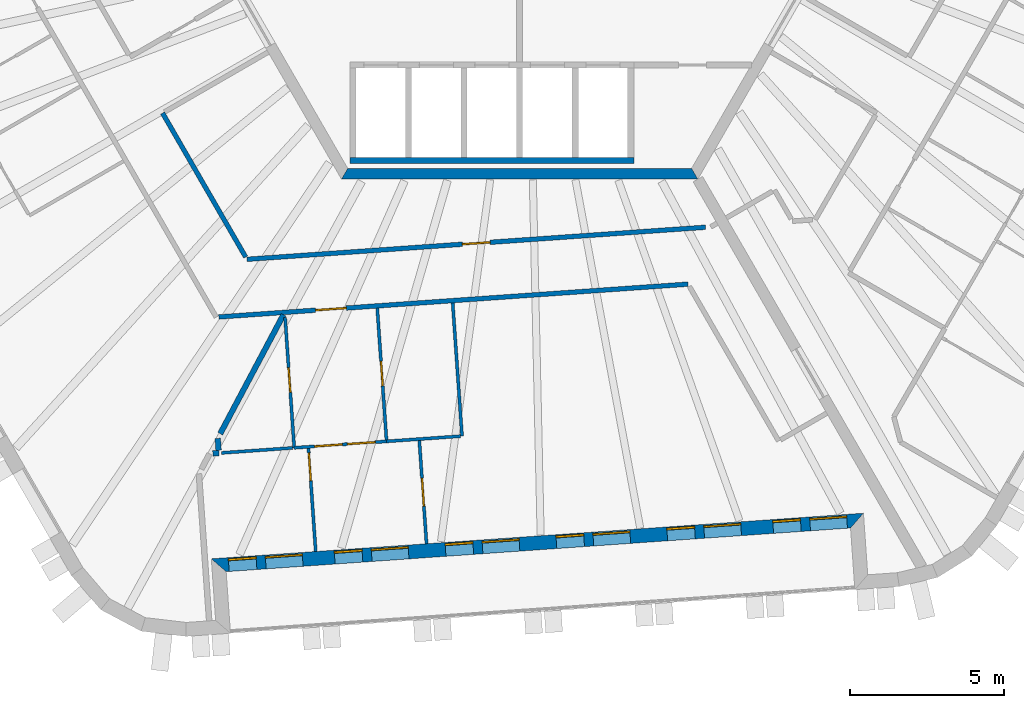
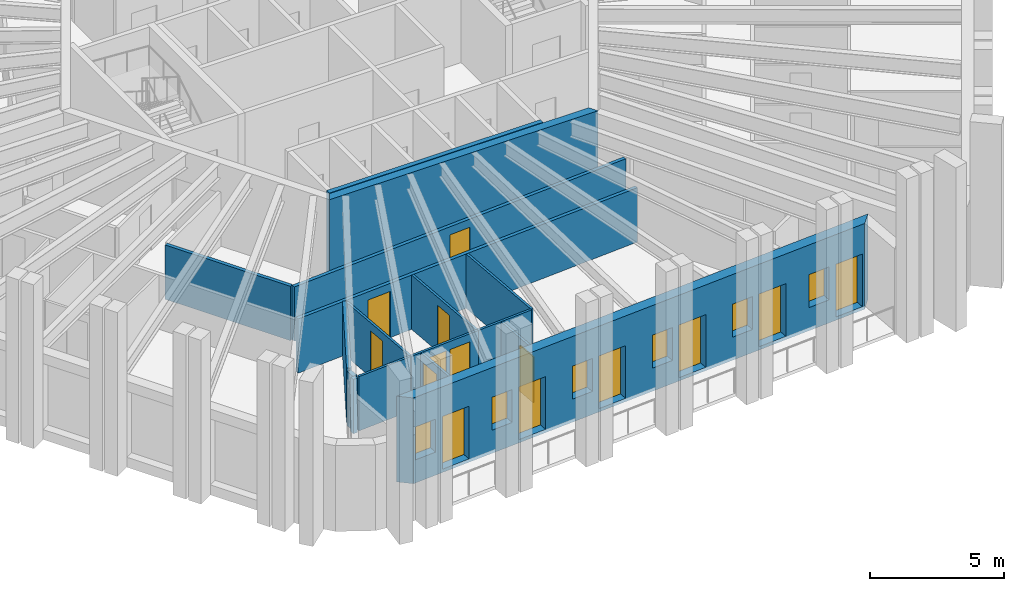
# One storey, part 3 of 12: 17 walls, 14 doors, 6 windows, 20 openings.
"""IFC4 building model written with IfcOpenShell, lengths in metres."""

from ifc_helpers import new_model, si_unit, direction, frame, frame_2d, origin, place, context, subcontext, project, spatial, polyline, rectangle, outline, extrude, material, layer, layer_set, type_object, element, fill, save


model = new_model("IFC4")

# Units and contexts
model_context = context("Model", 3, precision=1e-05, world=origin(), true_north=direction((0.0, 1.0)))
body_context = subcontext(model_context, "Body", "Model", "MODEL_VIEW")
ifc_project = project(units=[si_unit("LENGTHUNIT", "METRE"), si_unit("AREAUNIT", "SQUARE_METRE"), si_unit("VOLUMEUNIT", "CUBIC_METRE"), si_unit("PLANEANGLEUNIT", "RADIAN"), si_unit("MASSUNIT", "GRAM", prefix="KILO")], contexts=[model_context])

# Site, building, storey
site_placement = place(None, origin())
site = spatial("IfcSite", under=ifc_project, at=site_placement, CompositionType="ELEMENT")
building_placement = place(site_placement, origin())
building = spatial("IfcBuilding", under=site, at=building_placement, Name="Tarnside Tower", CompositionType="ELEMENT")
storey_placement = place(building_placement, frame((0.0, 0.0, 369.0)))
storey = spatial("IfcBuildingStorey", under=building, at=storey_placement, Name="L89", CompositionType="ELEMENT", Elevation=369.0)

# Walls
ifc_material_1 = material(Name="Gypsum board partition on steel studs", Category="steel")
ifc_layer_1 = layer(ifc_material_1, 0.10009765625)
ifc_layer_set_1 = layer_set([ifc_layer_1], Name="Bathroom wall 100")
wall_type_1 = type_object("IfcWallType", Name="Bathroom wall 100", PredefinedType="PARTITIONING", material=ifc_layer_set_1)
wall_1_placement = place(storey_placement, frame((-2.169921875, -14.010498046875, 0.0), z_axis=(0.0, 0.0, 1.0), x_axis=(0.069770707097, -0.997563054865, 0.0)))
element("IfcWall", 1, at=wall_1_placement, inside=storey, type_object=wall_type_1, Name="Bathroom wall 29121", PredefinedType="PARTITIONING", context=body_context, shape_type="SweptSolid", body=[
    extrude(rectangle(XDim=4.324951171875, YDim=0.10009765625, at=frame_2d((2.16259765625, 0.0))), origin(), (0.0, 0.0, 1.0), 2.469970703125),
])
wall_2_placement = place(storey_placement, frame((-1.918212890625, -18.328369140625, 0.0), z_axis=(0.0, 0.0, 1.0), x_axis=(-0.997561942506, -0.06978660948, 0.0)))
element("IfcWall", 2, at=wall_2_placement, inside=storey, type_object=wall_type_1, Name="Bathroom wall 29122", PredefinedType="PARTITIONING", context=body_context, shape_type="SweptSolid", body=[
    extrude(rectangle(XDim=2.39990234375, YDim=0.10009765625, at=frame_2d((1.199951171875, 0.0))), origin(), (0.0, 0.0, 1.0), 2.469970703125),
])

# Wall, opening, door
wall_3_placement = place(storey_placement, frame((-4.315673828125, -18.446044921875, 0.0), z_axis=(0.0, 0.0, 1.0), x_axis=(-0.069785937212, 0.997561989536, 0.0)))
wall_3 = element("IfcWall", 3, at=wall_3_placement, inside=storey, type_object=wall_type_1, Name="Bathroom wall 29124", PredefinedType="PARTITIONING", context=body_context, shape_type="SweptSolid", body=[
    extrude(rectangle(XDim=4.275146484375, YDim=0.10009765625, at=frame_2d((2.1376953125, 0.0))), origin(), (0.0, 0.0, 1.0), 2.469970703125),
])
opening_1_placement = place(wall_3_placement, frame((1.75, 0.0, 0.0)))
opening_1 = element("IfcOpeningElement", 4, at=opening_1_placement, cuts=wall_3, Name="Opening D-B1", PredefinedType="OPENING", context=body_context, shape_type="SweptSolid", body=[
    extrude(rectangle(XDim=0.800048828125, YDim=2.10009765625, at=frame_2d((0.39990234375, 1.050048828125))), frame((0.0, 0.06005859375, 0.0), z_axis=(0.0, -1.0, 0.0), x_axis=(1.0, 0.0, 0.0)), (0.0, 0.0, 1.0), 0.1201171875),
])
ifc_material_2 = material(Name="Timber door leaf", Category="wood")
door_type_1 = type_object("IfcDoorType", Name="Bathroom door 800", OperationType="NOTDEFINED", PredefinedType="DOOR", material=ifc_material_2)
door_1_placement = place(opening_1_placement, origin())
door_1 = element("IfcDoor", 5, at=door_1_placement, inside=storey, type_object=door_type_1, Name="Bathroom door 29032", OperationType="SINGLE_SWING_LEFT", OverallHeight=2.10009765625, OverallWidth=0.800048828125, PredefinedType="DOOR", context=body_context, shape_type="SweptSolid", body=[
    extrude(rectangle(XDim=0.800048828125, YDim=2.10009765625, at=frame_2d((0.39990234375, 1.050048828125))), frame((0.0, 0.02490234375, 0.0), z_axis=(0.0, -1.0, 0.0), x_axis=(1.0, 0.0, 0.0)), (0.0, 0.0, 1.0), 0.050048828125),
])
fill(opening_1, door_1)

wall_4_placement = place(storey_placement, frame((-7.60009765625, -14.4853515625, 0.0), z_axis=(0.0, 0.0, 1.0), x_axis=(0.069778585231, -0.997562503828, 0.0)))
wall_4 = element("IfcWall", 6, at=wall_4_placement, inside=storey, type_object=wall_type_1, Name="Bathroom wall 29127", PredefinedType="PARTITIONING", context=body_context, shape_type="SweptSolid", body=[
    extrude(rectangle(XDim=4.22998046875, YDim=0.10009765625, at=frame_2d((2.114990234375, 0.0))), origin(), (0.0, 0.0, 1.0), 2.469970703125),
])
opening_2_placement = place(wall_4_placement, frame((1.630126953125, 0.0, 0.0)))
opening_2 = element("IfcOpeningElement", 7, at=opening_2_placement, cuts=wall_4, Name="Opening D-B1", PredefinedType="OPENING", context=body_context, shape_type="SweptSolid", body=[
    extrude(rectangle(XDim=0.800048828125, YDim=2.10009765625, at=frame_2d((0.39990234375, 1.050048828125))), frame((0.0, 0.06005859375, 0.0), z_axis=(0.0, -1.0, 0.0), x_axis=(1.0, 0.0, 0.0)), (0.0, 0.0, 1.0), 0.1201171875),
])
door_2_placement = place(opening_2_placement, origin())
door_2 = element("IfcDoor", 8, at=door_2_placement, inside=storey, type_object=door_type_1, Name="Bathroom door 29040", OperationType="SINGLE_SWING_RIGHT", OverallHeight=2.10009765625, OverallWidth=0.800048828125, PredefinedType="DOOR", context=body_context, shape_type="SweptSolid", body=[
    extrude(rectangle(XDim=0.800048828125, YDim=2.10009765625, at=frame_2d((0.39990234375, 1.050048828125))), frame((0.0, 0.02490234375, 0.0), z_axis=(0.0, -1.0, 0.0), x_axis=(1.0, 0.0, 0.0)), (0.0, 0.0, 1.0), 0.050048828125),
])
fill(opening_2, door_2)

# Walls
wall_5_placement = place(storey_placement, frame((-7.354736328125, -18.70849609375, 0.0), z_axis=(0.0, 0.0, 1.0), x_axis=(-0.997556979038, -0.069857523376, 0.0)))
element("IfcWall", 9, at=wall_5_placement, inside=storey, type_object=wall_type_1, Name="Bathroom wall 29130", PredefinedType="PARTITIONING", context=body_context, shape_type="SweptSolid", body=[
    extrude(rectangle(XDim=2.31005859375, YDim=0.10009765625, at=frame_2d((1.155029296875, 0.0))), origin(), (0.0, 0.0, 1.0), 2.469970703125),
])
ifc_material_3 = material(Name="Concrete C50/60", Category="concrete")
ifc_layer_2 = layer(ifc_material_3, 0.35009765625)
ifc_layer_set_2 = layer_set([ifc_layer_2], Name="Core wall Z4 350 C50/60")
wall_type_2 = type_object("IfcWallType", Name="Core wall Z4 350 C50/60", PredefinedType="SHEAR", material=ifc_layer_set_2)
wall_6_placement = place(storey_placement, frame((-5.672607421875, -9.824951171875, -0.14990234375), z_axis=(0.0, 0.0, 1.0), x_axis=(1.0, 0.0, 0.0)))
element("IfcWall", 10, at=wall_6_placement, inside=storey, type_object=wall_type_2, Name="L89 core wall face 4", PredefinedType="SHEAR", context=body_context, shape_type="SweptSolid", body=[
    extrude(outline(polyline([(-0.10107421875, -0.175048828125), (11.4462890625, -0.175048828125), (11.244140625, 0.175048828125), (0.10107421875, 0.175048828125), (-0.10107421875, -0.175048828125)])), origin(), (0.0, 0.0, 1.0), 3.89990234375),
])

# Wall, opening, door
ifc_layer_3 = layer(ifc_material_1, 0.14990234375)
ifc_layer_set_3 = layer_set([ifc_layer_3], Name="Corridor wall 150 EI 60")
wall_type_3 = type_object("IfcWallType", Name="Corridor wall 150 EI 60", PredefinedType="PARTITIONING", material=ifc_layer_set_3)
wall_7_placement = place(storey_placement, frame((-9.74853515625, -14.46533203125, 0.0), z_axis=(0.0, 0.0, 1.0), x_axis=(0.997564252773, 0.069753577612, 0.0)))
wall_7 = element("IfcWall", 11, at=wall_7_placement, inside=storey, type_object=wall_type_3, Name="Corridor wall 29028", PredefinedType="PARTITIONING", context=body_context, shape_type="SweptSolid", body=[
    extrude(rectangle(XDim=15.24267578125, YDim=0.14990234375, at=frame_2d((7.621337890625, 0.0))), origin(), (0.0, 0.0, 1.0), 2.469970703125),
])
opening_3_placement = place(wall_7_placement, frame((3.141845703125, 0.0, 0.0)))
opening_3 = element("IfcOpeningElement", 12, at=opening_3_placement, cuts=wall_7, Name="Opening D-E1", PredefinedType="OPENING", context=body_context, shape_type="SweptSolid", body=[
    extrude(rectangle(XDim=1.0, YDim=2.10009765625, at=frame_2d((0.5, 1.050048828125))), frame((0.0, 0.0849609375, 0.0), z_axis=(0.0, -1.0, 0.0), x_axis=(1.0, 0.0, 0.0)), (0.0, 0.0, 1.0), 0.169921875),
])
door_type_2 = type_object("IfcDoorType", Name="Unit entrance door 1000 FD30S", OperationType="NOTDEFINED", PredefinedType="DOOR", material=ifc_material_2)
door_3_placement = place(opening_3_placement, origin())
door_3 = element("IfcDoor", 13, at=door_3_placement, inside=storey, type_object=door_type_2, Name="Unit door 29031", OperationType="SINGLE_SWING_RIGHT", OverallHeight=2.10009765625, OverallWidth=1.0, PredefinedType="DOOR", context=body_context, shape_type="SweptSolid", body=[
    extrude(rectangle(XDim=1.0, YDim=2.10009765625, at=frame_2d((0.5, 1.050048828125))), frame((0.0, 0.02490234375, 0.0), z_axis=(0.0, -1.0, 0.0), x_axis=(1.0, 0.0, 0.0)), (0.0, 0.0, 1.0), 0.050048828125),
])
fill(opening_3, door_3)

wall_8_placement = place(storey_placement, frame((6.02197265625, -11.55810546875, 0.0), z_axis=(0.0, 0.0, 1.0), x_axis=(-0.997564502115, -0.06975001161, 0.0)))
wall_8 = element("IfcWall", 14, at=wall_8_placement, inside=storey, type_object=wall_type_3, Name="Corridor wall 29048", PredefinedType="PARTITIONING", context=body_context, shape_type="SweptSolid", body=[
    extrude(rectangle(XDim=14.8935546875, YDim=0.14990234375, at=frame_2d((7.44677734375, 0.0))), origin(), (0.0, 0.0, 1.0), 2.469970703125),
])
opening_4_placement = place(wall_8_placement, frame((6.996826171875, 0.0, 0.0)))
opening_4 = element("IfcOpeningElement", 15, at=opening_4_placement, cuts=wall_8, Name="Opening D-S1", PredefinedType="OPENING", context=body_context, shape_type="SweptSolid", body=[
    extrude(rectangle(XDim=0.89990234375, YDim=2.10009765625, at=frame_2d((0.449951171875, 1.050048828125))), frame((0.0, 0.0849609375, 0.0), z_axis=(0.0, -1.0, 0.0), x_axis=(1.0, 0.0, 0.0)), (0.0, 0.0, 1.0), 0.169921875),
])
door_type_3 = type_object("IfcDoorType", Name="Service room door 900 FD30S", OperationType="NOTDEFINED", PredefinedType="DOOR", material=ifc_material_2)
door_4_placement = place(opening_4_placement, origin())
door_4 = element("IfcDoor", 16, at=door_4_placement, inside=storey, type_object=door_type_3, Name="Service door 29060", OperationType="SINGLE_SWING_RIGHT", OverallHeight=2.10009765625, OverallWidth=0.89990234375, PredefinedType="DOOR", context=body_context, shape_type="SweptSolid", body=[
    extrude(rectangle(XDim=0.89990234375, YDim=2.10009765625, at=frame_2d((0.449951171875, 1.050048828125))), frame((0.0, 0.02490234375, 0.0), z_axis=(0.0, -1.0, 0.0), x_axis=(1.0, 0.0, 0.0)), (0.0, 0.0, 1.0), 0.050048828125),
])
fill(opening_4, door_4)

# Walls
wall_9_placement = place(storey_placement, frame((-8.876953125, -12.524658203125, 0.0), z_axis=(0.0, 0.0, 1.0), x_axis=(-0.500014061761, 0.866017285071, 0.0)))
element("IfcWall", 17, at=wall_9_placement, inside=storey, type_object=wall_type_3, Name="Corridor wall 29049", PredefinedType="PARTITIONING", context=body_context, shape_type="SweptSolid", body=[
    extrude(rectangle(XDim=5.386962890625, YDim=0.14990234375, at=frame_2d((2.693359375, 0.0))), origin(), (0.0, 0.0, 1.0), 2.469970703125),
])
ifc_layer_4 = layer(ifc_material_1, 0.179931640625)
ifc_layer_set_4 = layer_set([ifc_layer_4], Name="Demising wall 180 EI 60")
wall_type_4 = type_object("IfcWallType", Name="Demising wall 180 EI 60", PredefinedType="PARTITIONING", material=ifc_layer_set_4)
wall_10_placement = place(storey_placement, frame((-9.94189453125, -18.889404296875, 0.0), z_axis=(0.0, 0.0, 1.0), x_axis=(0.997589087128, 0.069397501713, 0.0)))
element("IfcWall", 18, at=wall_10_placement, inside=storey, type_object=wall_type_4, Name="Demising wall 29113", PredefinedType="PARTITIONING", context=body_context, shape_type="SweptSolid", body=[
    extrude(rectangle(XDim=0.197021484375, YDim=0.179931640625, at=frame_2d((0.0986328125, 0.0))), origin(), (0.0, 0.0, 1.0), 2.469970703125),
])
wall_11_placement = place(storey_placement, frame((-9.755126953125, -18.7861328125, 0.0), z_axis=(0.0, 0.0, 1.0), x_axis=(-0.070266142985, 0.997528279875, 0.0)))
element("IfcWall", 19, at=wall_11_placement, inside=storey, type_object=wall_type_4, Name="Demising wall 29114", PredefinedType="PARTITIONING", context=body_context, shape_type="SweptSolid", body=[
    extrude(rectangle(XDim=0.38916015625, YDim=0.179931640625, at=frame_2d((0.194580078125, 0.0))), origin(), (0.0, 0.0, 1.0), 2.469970703125),
])
wall_12_placement = place(storey_placement, frame((-9.70263671875, -18.248046875, 0.0), z_axis=(0.0, 0.0, 1.0), x_axis=(0.469490526632, 0.882937509342, 0.0)))
element("IfcWall", 20, at=wall_12_placement, inside=storey, type_object=wall_type_4, Name="Demising wall 29115", PredefinedType="PARTITIONING", context=body_context, shape_type="SweptSolid", body=[
    extrude(rectangle(XDim=4.364990234375, YDim=0.179931640625, at=frame_2d((2.1826171875, 0.0))), origin(), (0.0, 0.0, 1.0), 2.469970703125),
])
ifc_material_4 = material(Name="Concrete C40/50", Category="concrete")
ifc_layer_5 = layer(ifc_material_4, 0.199951171875)
ifc_layer_set_5 = layer_set([ifc_layer_5], Name="Lift shaft wall 200 C40/50")
wall_type_5 = type_object("IfcWallType", Name="Lift shaft wall 200 C40/50", PredefinedType="SHEAR", material=ifc_layer_set_5)
wall_13_placement = place(storey_placement, frame((-5.5, -9.39990234375, -0.25), z_axis=(0.0, 0.0, 1.0), x_axis=(1.0, 0.0, 0.0)))
element("IfcWall", 21, at=wall_13_placement, inside=storey, type_object=wall_type_5, Name="L89 lift shaft back wall R4", PredefinedType="SHEAR", context=body_context, shape_type="SweptSolid", body=[
    extrude(rectangle(XDim=9.199951171875, YDim=0.199951171875, at=frame_2d((4.60009765625, 0.0))), origin(), (0.0, 0.0, 1.0), 3.89990234375),
])

# Wall, openings, doors, windows
ifc_material_5 = material(Name="Dark zinc cladding")
ifc_layer_6 = layer(ifc_material_5, 0.10205078125)
ifc_material_6 = material(Name="Concrete C60/75 precast", Category="concrete")
ifc_layer_7 = layer(ifc_material_6, 0.248046875)
ifc_material_7 = material(Name="Mineral wool insulation")
ifc_layer_8 = layer(ifc_material_7, 0.10009765625)
ifc_layer_set_6 = layer_set([ifc_layer_6, ifc_layer_7, ifc_layer_8], Name="Loggia wall 450 zinc faced")
wall_type_6 = type_object("IfcWallType", Name="Loggia wall 450 zinc faced", PredefinedType="SOLIDWALL", material=ifc_layer_set_6)
wall_14_placement = place(storey_placement, frame((-9.7509765625, -22.510009765625, -0.14990234375), z_axis=(0.0, 0.0, 1.0), x_axis=(0.997564460173, 0.06975061147, 0.0)))
wall_14 = element("IfcWall", 22, at=wall_14_placement, inside=storey, type_object=wall_type_6, Name="Tube wall L89 F4 back 18", PredefinedType="SOLIDWALL", context=body_context, shape_type="SweptSolid", body=[
    extrude(outline(polyline([(0.224853515625, -0.22509765625), (20.5068359375, -0.22509765625), (20.95654296875, 0.22509765625), (-0.224853515625, 0.22509765625), (0.224853515625, -0.22509765625)])), origin(), (0.0, 0.0, 1.0), 3.89990234375),
])
opening_5_placement = place(wall_14_placement, frame((0.324951171875, 0.0, 1.050048828125)))
opening_5 = element("IfcOpeningElement", 23, at=opening_5_placement, cuts=wall_14, Name="Opening WL450", PredefinedType="OPENING", context=body_context, shape_type="SweptSolid", body=[
    extrude(rectangle(XDim=0.89990234375, YDim=1.5, at=frame_2d((0.449951171875, 0.75))), frame((0.0, 0.23486328125, 0.0), z_axis=(0.0, -1.0, 0.0), x_axis=(1.0, 0.0, 0.0)), (0.0, 0.0, 1.0), 0.469970703125),
])
opening_6_placement = place(wall_14_placement, frame((1.52490234375, 0.0, 0.14990234375)))
opening_6 = element("IfcOpeningElement", 24, at=opening_6_placement, cuts=wall_14, Name="Opening DB450", PredefinedType="OPENING", context=body_context, shape_type="SweptSolid", body=[
    extrude(rectangle(XDim=1.199951171875, YDim=2.39990234375, at=frame_2d((0.60009765625, 1.199951171875))), frame((0.0, 0.23486328125, 0.0), z_axis=(0.0, -1.0, 0.0), x_axis=(1.0, 0.0, 0.0)), (0.0, 0.0, 1.0), 0.469970703125),
])
opening_7_placement = place(wall_14_placement, frame((3.765869140625, 0.0, 1.050048828125)))
opening_7 = element("IfcOpeningElement", 25, at=opening_7_placement, cuts=wall_14, Name="Opening WL450", PredefinedType="OPENING", context=body_context, shape_type="SweptSolid", body=[
    extrude(rectangle(XDim=0.89990234375, YDim=1.5, at=frame_2d((0.449951171875, 0.75))), frame((0.0, 0.23486328125, 0.0), z_axis=(0.0, -1.0, 0.0), x_axis=(1.0, 0.0, 0.0)), (0.0, 0.0, 1.0), 0.469970703125),
])
opening_8_placement = place(wall_14_placement, frame((4.9658203125, 0.0, 0.14990234375)))
opening_8 = element("IfcOpeningElement", 26, at=opening_8_placement, cuts=wall_14, Name="Opening DB450", PredefinedType="OPENING", context=body_context, shape_type="SweptSolid", body=[
    extrude(rectangle(XDim=1.199951171875, YDim=2.39990234375, at=frame_2d((0.60009765625, 1.199951171875))), frame((0.0, 0.23486328125, 0.0), z_axis=(0.0, -1.0, 0.0), x_axis=(1.0, 0.0, 0.0)), (0.0, 0.0, 1.0), 0.469970703125),
])
opening_9_placement = place(wall_14_placement, frame((7.36572265625, 0.0, 1.050048828125)))
opening_9 = element("IfcOpeningElement", 27, at=opening_9_placement, cuts=wall_14, Name="Opening WL450", PredefinedType="OPENING", context=body_context, shape_type="SweptSolid", body=[
    extrude(rectangle(XDim=0.89990234375, YDim=1.5, at=frame_2d((0.449951171875, 0.75))), frame((0.0, 0.23486328125, 0.0), z_axis=(0.0, -1.0, 0.0), x_axis=(1.0, 0.0, 0.0)), (0.0, 0.0, 1.0), 0.469970703125),
])
opening_10_placement = place(wall_14_placement, frame((8.56591796875, 0.0, 0.14990234375)))
opening_10 = element("IfcOpeningElement", 28, at=opening_10_placement, cuts=wall_14, Name="Opening DB450", PredefinedType="OPENING", context=body_context, shape_type="SweptSolid", body=[
    extrude(rectangle(XDim=1.199951171875, YDim=2.39990234375, at=frame_2d((0.60009765625, 1.199951171875))), frame((0.0, 0.23486328125, 0.0), z_axis=(0.0, -1.0, 0.0), x_axis=(1.0, 0.0, 0.0)), (0.0, 0.0, 1.0), 0.469970703125),
])
opening_11_placement = place(wall_14_placement, frame((10.9658203125, 0.0, 1.050048828125)))
opening_11 = element("IfcOpeningElement", 29, at=opening_11_placement, cuts=wall_14, Name="Opening WL450", PredefinedType="OPENING", context=body_context, shape_type="SweptSolid", body=[
    extrude(rectangle(XDim=0.89990234375, YDim=1.5, at=frame_2d((0.449951171875, 0.75))), frame((0.0, 0.23486328125, 0.0), z_axis=(0.0, -1.0, 0.0), x_axis=(1.0, 0.0, 0.0)), (0.0, 0.0, 1.0), 0.469970703125),
])
opening_12_placement = place(wall_14_placement, frame((12.165771484375, 0.0, 0.14990234375)))
opening_12 = element("IfcOpeningElement", 30, at=opening_12_placement, cuts=wall_14, Name="Opening DB450", PredefinedType="OPENING", context=body_context, shape_type="SweptSolid", body=[
    extrude(rectangle(XDim=1.199951171875, YDim=2.39990234375, at=frame_2d((0.60009765625, 1.199951171875))), frame((0.0, 0.23486328125, 0.0), z_axis=(0.0, -1.0, 0.0), x_axis=(1.0, 0.0, 0.0)), (0.0, 0.0, 1.0), 0.469970703125),
])
opening_13_placement = place(wall_14_placement, frame((14.56591796875, 0.0, 1.050048828125)))
opening_13 = element("IfcOpeningElement", 31, at=opening_13_placement, cuts=wall_14, Name="Opening WL450", PredefinedType="OPENING", context=body_context, shape_type="SweptSolid", body=[
    extrude(rectangle(XDim=0.89990234375, YDim=1.5, at=frame_2d((0.449951171875, 0.75))), frame((0.0, 0.23486328125, 0.0), z_axis=(0.0, -1.0, 0.0), x_axis=(1.0, 0.0, 0.0)), (0.0, 0.0, 1.0), 0.469970703125),
])
opening_14_placement = place(wall_14_placement, frame((15.765869140625, 0.0, 0.14990234375)))
opening_14 = element("IfcOpeningElement", 32, at=opening_14_placement, cuts=wall_14, Name="Opening DB450", PredefinedType="OPENING", context=body_context, shape_type="SweptSolid", body=[
    extrude(rectangle(XDim=1.199951171875, YDim=2.39990234375, at=frame_2d((0.60009765625, 1.199951171875))), frame((0.0, 0.23486328125, 0.0), z_axis=(0.0, -1.0, 0.0), x_axis=(1.0, 0.0, 0.0)), (0.0, 0.0, 1.0), 0.469970703125),
])
opening_15_placement = place(wall_14_placement, frame((18.006591796875, 0.0, 1.050048828125)))
opening_15 = element("IfcOpeningElement", 33, at=opening_15_placement, cuts=wall_14, Name="Opening WL450", PredefinedType="OPENING", context=body_context, shape_type="SweptSolid", body=[
    extrude(rectangle(XDim=0.89990234375, YDim=1.5, at=frame_2d((0.449951171875, 0.75))), frame((0.0, 0.23486328125, 0.0), z_axis=(0.0, -1.0, 0.0), x_axis=(1.0, 0.0, 0.0)), (0.0, 0.0, 1.0), 0.469970703125),
])
opening_16_placement = place(wall_14_placement, frame((19.20654296875, 0.0, 0.14990234375)))
opening_16 = element("IfcOpeningElement", 34, at=opening_16_placement, cuts=wall_14, Name="Opening DB450", PredefinedType="OPENING", context=body_context, shape_type="SweptSolid", body=[
    extrude(rectangle(XDim=1.199951171875, YDim=2.39990234375, at=frame_2d((0.60009765625, 1.199951171875))), frame((0.0, 0.23486328125, 0.0), z_axis=(0.0, -1.0, 0.0), x_axis=(1.0, 0.0, 0.0)), (0.0, 0.0, 1.0), 0.469970703125),
])
ifc_material_8 = material(Name="Aluminium-framed double glazing", Category="aluminium")
door_type_4 = type_object("IfcDoorType", Name="Balcony sliding door 1200 x 2400 in 450 wall", OperationType="SLIDING_TO_LEFT", PredefinedType="DOOR", material=ifc_material_8)
door_5_placement = place(opening_6_placement, frame((0.0, 0.150146484375, 0.0)))
door_5 = element("IfcDoor", 35, at=door_5_placement, inside=storey, type_object=door_type_4, Name="E.BD.L89.F4.00", OperationType="SLIDING_TO_LEFT", OverallHeight=2.39990234375, OverallWidth=1.199951171875, PredefinedType="DOOR", context=body_context, shape_type="SweptSolid", body=[
    extrude(rectangle(XDim=1.199951171875, YDim=2.39990234375, at=frame_2d((0.60009765625, 1.199951171875))), frame((0.0, 0.02490234375, 0.0), z_axis=(0.0, -1.0, 0.0), x_axis=(1.0, 0.0, 0.0)), (0.0, 0.0, 1.0), 0.050048828125),
])
fill(opening_6, door_5)
door_6_placement = place(opening_8_placement, frame((0.0, 0.150146484375, 0.0)))
door_6 = element("IfcDoor", 36, at=door_6_placement, inside=storey, type_object=door_type_4, Name="E.BD.L89.F4.01", OperationType="SLIDING_TO_LEFT", OverallHeight=2.39990234375, OverallWidth=1.199951171875, PredefinedType="DOOR", context=body_context, shape_type="SweptSolid", body=[
    extrude(rectangle(XDim=1.199951171875, YDim=2.39990234375, at=frame_2d((0.60009765625, 1.199951171875))), frame((0.0, 0.02490234375, 0.0), z_axis=(0.0, -1.0, 0.0), x_axis=(1.0, 0.0, 0.0)), (0.0, 0.0, 1.0), 0.050048828125),
])
fill(opening_8, door_6)
door_7_placement = place(opening_10_placement, frame((0.0, 0.150146484375, 0.0)))
door_7 = element("IfcDoor", 37, at=door_7_placement, inside=storey, type_object=door_type_4, Name="E.BD.L89.F4.02", OperationType="SLIDING_TO_LEFT", OverallHeight=2.39990234375, OverallWidth=1.199951171875, PredefinedType="DOOR", context=body_context, shape_type="SweptSolid", body=[
    extrude(rectangle(XDim=1.199951171875, YDim=2.39990234375, at=frame_2d((0.60009765625, 1.199951171875))), frame((0.0, 0.02490234375, 0.0), z_axis=(0.0, -1.0, 0.0), x_axis=(1.0, 0.0, 0.0)), (0.0, 0.0, 1.0), 0.050048828125),
])
fill(opening_10, door_7)
door_8_placement = place(opening_12_placement, frame((0.0, 0.150146484375, 0.0)))
door_8 = element("IfcDoor", 38, at=door_8_placement, inside=storey, type_object=door_type_4, Name="E.BD.L89.F4.03", OperationType="SLIDING_TO_LEFT", OverallHeight=2.39990234375, OverallWidth=1.199951171875, PredefinedType="DOOR", context=body_context, shape_type="SweptSolid", body=[
    extrude(rectangle(XDim=1.199951171875, YDim=2.39990234375, at=frame_2d((0.60009765625, 1.199951171875))), frame((0.0, 0.02490234375, 0.0), z_axis=(0.0, -1.0, 0.0), x_axis=(1.0, 0.0, 0.0)), (0.0, 0.0, 1.0), 0.050048828125),
])
fill(opening_12, door_8)
door_9_placement = place(opening_14_placement, frame((0.0, 0.150146484375, 0.0)))
door_9 = element("IfcDoor", 39, at=door_9_placement, inside=storey, type_object=door_type_4, Name="E.BD.L89.F4.04", OperationType="SLIDING_TO_LEFT", OverallHeight=2.39990234375, OverallWidth=1.199951171875, PredefinedType="DOOR", context=body_context, shape_type="SweptSolid", body=[
    extrude(rectangle(XDim=1.199951171875, YDim=2.39990234375, at=frame_2d((0.60009765625, 1.199951171875))), frame((0.0, 0.02490234375, 0.0), z_axis=(0.0, -1.0, 0.0), x_axis=(1.0, 0.0, 0.0)), (0.0, 0.0, 1.0), 0.050048828125),
])
fill(opening_14, door_9)
door_10_placement = place(opening_16_placement, frame((0.0, 0.150146484375, 0.0)))
door_10 = element("IfcDoor", 40, at=door_10_placement, inside=storey, type_object=door_type_4, Name="E.BD.L89.F4.05", OperationType="SLIDING_TO_LEFT", OverallHeight=2.39990234375, OverallWidth=1.199951171875, PredefinedType="DOOR", context=body_context, shape_type="SweptSolid", body=[
    extrude(rectangle(XDim=1.199951171875, YDim=2.39990234375, at=frame_2d((0.60009765625, 1.199951171875))), frame((0.0, 0.02490234375, 0.0), z_axis=(0.0, -1.0, 0.0), x_axis=(1.0, 0.0, 0.0)), (0.0, 0.0, 1.0), 0.050048828125),
])
fill(opening_16, door_10)
window_type = type_object("IfcWindowType", Name="Loggia window 900 x 1500 in 450 wall", PartitioningType="SINGLE_PANEL", PredefinedType="WINDOW", material=ifc_material_8)
window_1_placement = place(opening_5_placement, frame((0.0, 0.1552734375, 0.0)))
window_1 = element("IfcWindow", 41, at=window_1_placement, inside=storey, type_object=window_type, Name="E.LW.L89.F4.00", OverallHeight=1.5, OverallWidth=0.89990234375, PartitioningType="SINGLE_PANEL", PredefinedType="WINDOW", context=body_context, shape_type="SweptSolid", body=[
    extrude(rectangle(XDim=0.89990234375, YDim=1.5, at=frame_2d((0.449951171875, 0.75))), frame((0.0, 0.030029296875, 0.0), z_axis=(0.0, -1.0, 0.0), x_axis=(1.0, 0.0, 0.0)), (0.0, 0.0, 1.0), 0.06005859375),
])
fill(opening_5, window_1)
window_2_placement = place(opening_7_placement, frame((0.0, 0.1552734375, 0.0)))
window_2 = element("IfcWindow", 42, at=window_2_placement, inside=storey, type_object=window_type, Name="E.LW.L89.F4.01", OverallHeight=1.5, OverallWidth=0.89990234375, PartitioningType="SINGLE_PANEL", PredefinedType="WINDOW", context=body_context, shape_type="SweptSolid", body=[
    extrude(rectangle(XDim=0.89990234375, YDim=1.5, at=frame_2d((0.449951171875, 0.75))), frame((0.0, 0.030029296875, 0.0), z_axis=(0.0, -1.0, 0.0), x_axis=(1.0, 0.0, 0.0)), (0.0, 0.0, 1.0), 0.06005859375),
])
fill(opening_7, window_2)
window_3_placement = place(opening_9_placement, frame((0.0, 0.1552734375, 0.0)))
window_3 = element("IfcWindow", 43, at=window_3_placement, inside=storey, type_object=window_type, Name="E.LW.L89.F4.02", OverallHeight=1.5, OverallWidth=0.89990234375, PartitioningType="SINGLE_PANEL", PredefinedType="WINDOW", context=body_context, shape_type="SweptSolid", body=[
    extrude(rectangle(XDim=0.89990234375, YDim=1.5, at=frame_2d((0.449951171875, 0.75))), frame((0.0, 0.030029296875, 0.0), z_axis=(0.0, -1.0, 0.0), x_axis=(1.0, 0.0, 0.0)), (0.0, 0.0, 1.0), 0.06005859375),
])
fill(opening_9, window_3)
window_4_placement = place(opening_11_placement, frame((0.0, 0.1552734375, 0.0)))
window_4 = element("IfcWindow", 44, at=window_4_placement, inside=storey, type_object=window_type, Name="E.LW.L89.F4.03", OverallHeight=1.5, OverallWidth=0.89990234375, PartitioningType="SINGLE_PANEL", PredefinedType="WINDOW", context=body_context, shape_type="SweptSolid", body=[
    extrude(rectangle(XDim=0.89990234375, YDim=1.5, at=frame_2d((0.449951171875, 0.75))), frame((0.0, 0.030029296875, 0.0), z_axis=(0.0, -1.0, 0.0), x_axis=(1.0, 0.0, 0.0)), (0.0, 0.0, 1.0), 0.06005859375),
])
fill(opening_11, window_4)
window_5_placement = place(opening_13_placement, frame((0.0, 0.1552734375, 0.0)))
window_5 = element("IfcWindow", 45, at=window_5_placement, inside=storey, type_object=window_type, Name="E.LW.L89.F4.04", OverallHeight=1.5, OverallWidth=0.89990234375, PartitioningType="SINGLE_PANEL", PredefinedType="WINDOW", context=body_context, shape_type="SweptSolid", body=[
    extrude(rectangle(XDim=0.89990234375, YDim=1.5, at=frame_2d((0.449951171875, 0.75))), frame((0.0, 0.030029296875, 0.0), z_axis=(0.0, -1.0, 0.0), x_axis=(1.0, 0.0, 0.0)), (0.0, 0.0, 1.0), 0.06005859375),
])
fill(opening_13, window_5)
window_6_placement = place(opening_15_placement, frame((0.0, 0.1552734375, 0.0)))
window_6 = element("IfcWindow", 46, at=window_6_placement, inside=storey, type_object=window_type, Name="E.LW.L89.F4.05", OverallHeight=1.5, OverallWidth=0.89990234375, PartitioningType="SINGLE_PANEL", PredefinedType="WINDOW", context=body_context, shape_type="SweptSolid", body=[
    extrude(rectangle(XDim=0.89990234375, YDim=1.5, at=frame_2d((0.449951171875, 0.75))), frame((0.0, 0.030029296875, 0.0), z_axis=(0.0, -1.0, 0.0), x_axis=(1.0, 0.0, 0.0)), (0.0, 0.0, 1.0), 0.06005859375),
])
fill(opening_15, window_6)

# Wall, opening, door
ifc_layer_9 = layer(ifc_material_1, 0.10009765625)
ifc_layer_set_7 = layer_set([ifc_layer_9], Name="Partition 100")
wall_type_7 = type_object("IfcWallType", Name="Partition 100", PredefinedType="PARTITIONING", material=ifc_layer_set_7)
wall_15_placement = place(storey_placement, frame((-3.2509765625, -18.4716796875, 0.0), z_axis=(0.0, 0.0, 1.0), x_axis=(0.069739930095, -0.997565206967, 0.0)))
wall_15 = element("IfcWall", 47, at=wall_15_placement, inside=storey, type_object=wall_type_7, Name="Partition wall 29123", PredefinedType="PARTITIONING", context=body_context, shape_type="SweptSolid", body=[
    extrude(rectangle(XDim=3.35009765625, YDim=0.10009765625, at=frame_2d((1.675048828125, 0.0))), origin(), (0.0, 0.0, 1.0), 2.469970703125),
])
opening_17_placement = place(wall_15_placement, frame((1.22509765625, 0.0, 0.0)))
opening_17 = element("IfcOpeningElement", 48, at=opening_17_placement, cuts=wall_15, Name="Opening D-I1", PredefinedType="OPENING", context=body_context, shape_type="SweptSolid", body=[
    extrude(rectangle(XDim=0.89990234375, YDim=2.10009765625, at=frame_2d((0.449951171875, 1.050048828125))), frame((0.0, 0.06005859375, 0.0), z_axis=(0.0, -1.0, 0.0), x_axis=(1.0, 0.0, 0.0)), (0.0, 0.0, 1.0), 0.1201171875),
])
door_type_5 = type_object("IfcDoorType", Name="Internal door 900", OperationType="NOTDEFINED", PredefinedType="DOOR", material=ifc_material_2)
door_11_placement = place(opening_17_placement, origin())
door_11 = element("IfcDoor", 49, at=door_11_placement, inside=storey, type_object=door_type_5, Name="Internal door 29056", OperationType="SINGLE_SWING_RIGHT", OverallHeight=2.10009765625, OverallWidth=0.89990234375, PredefinedType="DOOR", context=body_context, shape_type="SweptSolid", body=[
    extrude(rectangle(XDim=0.89990234375, YDim=2.10009765625, at=frame_2d((0.449951171875, 1.050048828125))), frame((0.0, 0.02490234375, 0.0), z_axis=(0.0, -1.0, 0.0), x_axis=(1.0, 0.0, 0.0)), (0.0, 0.0, 1.0), 0.050048828125),
])
fill(opening_17, door_11)

# Wall, openings, doors
wall_16_placement = place(storey_placement, frame((-7.306884765625, -18.705322265625, 0.0), z_axis=(0.0, 0.0, 1.0), x_axis=(0.997565643132, 0.069733690876, 0.0)))
wall_16 = element("IfcWall", 50, at=wall_16_placement, inside=storey, type_object=wall_type_7, Name="Partition wall 29125", PredefinedType="PARTITIONING", context=body_context, shape_type="SweptSolid", body=[
    extrude(rectangle(XDim=3.00390625, YDim=0.10009765625, at=frame_2d((1.501953125, 0.0))), origin(), (0.0, 0.0, 1.0), 2.469970703125),
])
opening_18_placement = place(wall_16_placement, frame((0.662353515625, 0.0, 0.0)))
opening_18 = element("IfcOpeningElement", 51, at=opening_18_placement, cuts=wall_16, Name="Opening D-I1", PredefinedType="OPENING", context=body_context, shape_type="SweptSolid", body=[
    extrude(rectangle(XDim=0.89990234375, YDim=2.10009765625, at=frame_2d((0.449951171875, 1.050048828125))), frame((0.0, 0.06005859375, 0.0), z_axis=(0.0, -1.0, 0.0), x_axis=(1.0, 0.0, 0.0)), (0.0, 0.0, 1.0), 0.1201171875),
])
opening_19_placement = place(wall_16_placement, frame((1.732177734375, 0.0, 0.0)))
opening_19 = element("IfcOpeningElement", 52, at=opening_19_placement, cuts=wall_16, Name="Opening D-I1", PredefinedType="OPENING", context=body_context, shape_type="SweptSolid", body=[
    extrude(rectangle(XDim=0.89990234375, YDim=2.10009765625, at=frame_2d((0.449951171875, 1.050048828125))), frame((0.0, 0.06005859375, 0.0), z_axis=(0.0, -1.0, 0.0), x_axis=(1.0, 0.0, 0.0)), (0.0, 0.0, 1.0), 0.1201171875),
])
door_12_placement = place(opening_18_placement, origin())
door_12 = element("IfcDoor", 53, at=door_12_placement, inside=storey, type_object=door_type_5, Name="Internal door 29035", OperationType="SINGLE_SWING_LEFT", OverallHeight=2.10009765625, OverallWidth=0.89990234375, PredefinedType="DOOR", context=body_context, shape_type="SweptSolid", body=[
    extrude(rectangle(XDim=0.89990234375, YDim=2.10009765625, at=frame_2d((0.449951171875, 1.050048828125))), frame((0.0, 0.02490234375, 0.0), z_axis=(0.0, -1.0, 0.0), x_axis=(1.0, 0.0, 0.0)), (0.0, 0.0, 1.0), 0.050048828125),
])
fill(opening_18, door_12)
door_13_placement = place(opening_19_placement, origin())
door_13 = element("IfcDoor", 54, at=door_13_placement, inside=storey, type_object=door_type_5, Name="Internal door 29039", OperationType="SINGLE_SWING_LEFT", OverallHeight=2.10009765625, OverallWidth=0.89990234375, PredefinedType="DOOR", context=body_context, shape_type="SweptSolid", body=[
    extrude(rectangle(XDim=0.89990234375, YDim=2.10009765625, at=frame_2d((0.449951171875, 1.050048828125))), frame((0.0, 0.02490234375, 0.0), z_axis=(0.0, -1.0, 0.0), x_axis=(1.0, 0.0, 0.0)), (0.0, 0.0, 1.0), 0.050048828125),
])
fill(opening_19, door_13)

# Wall, opening, door
wall_17_placement = place(storey_placement, frame((-6.608642578125, -22.064697265625, 0.0), z_axis=(0.0, 0.0, 1.0), x_axis=(-0.06974500028, 0.997564852496, 0.0)))
wall_17 = element("IfcWall", 55, at=wall_17_placement, inside=storey, type_object=wall_type_7, Name="Partition wall 29129", PredefinedType="PARTITIONING", context=body_context, shape_type="SweptSolid", body=[
    extrude(rectangle(XDim=3.349853515625, YDim=0.10009765625, at=frame_2d((1.6748046875, 0.0))), origin(), (0.0, 0.0, 1.0), 2.469970703125),
])
opening_20_placement = place(wall_17_placement, frame((2.300048828125, 0.0, 0.0)))
opening_20 = element("IfcOpeningElement", 56, at=opening_20_placement, cuts=wall_17, Name="Opening D-I1", PredefinedType="OPENING", context=body_context, shape_type="SweptSolid", body=[
    extrude(rectangle(XDim=0.89990234375, YDim=2.10009765625, at=frame_2d((0.449951171875, 1.050048828125))), frame((0.0, 0.06005859375, 0.0), z_axis=(0.0, -1.0, 0.0), x_axis=(1.0, 0.0, 0.0)), (0.0, 0.0, 1.0), 0.1201171875),
])
door_14_placement = place(opening_20_placement, origin())
door_14 = element("IfcDoor", 57, at=door_14_placement, inside=storey, type_object=door_type_5, Name="Internal door 29038", OperationType="SINGLE_SWING_RIGHT", OverallHeight=2.10009765625, OverallWidth=0.89990234375, PredefinedType="DOOR", context=body_context, shape_type="SweptSolid", body=[
    extrude(rectangle(XDim=0.89990234375, YDim=2.10009765625, at=frame_2d((0.449951171875, 1.050048828125))), frame((0.0, 0.02490234375, 0.0), z_axis=(0.0, -1.0, 0.0), x_axis=(1.0, 0.0, 0.0)), (0.0, 0.0, 1.0), 0.050048828125),
])
fill(opening_20, door_14)

save(model, "model.ifc")
